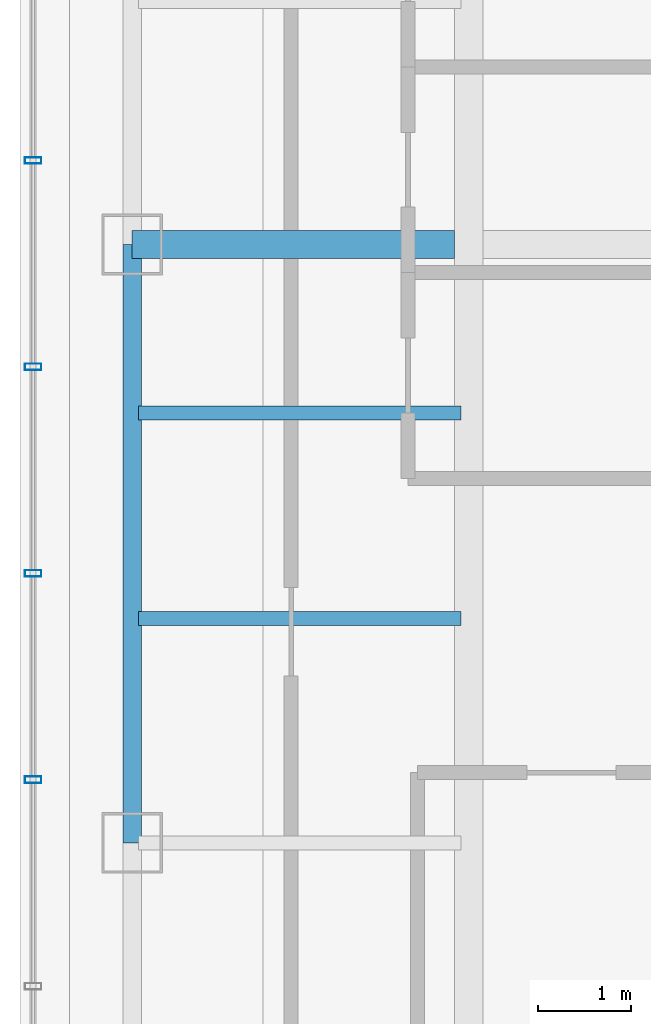
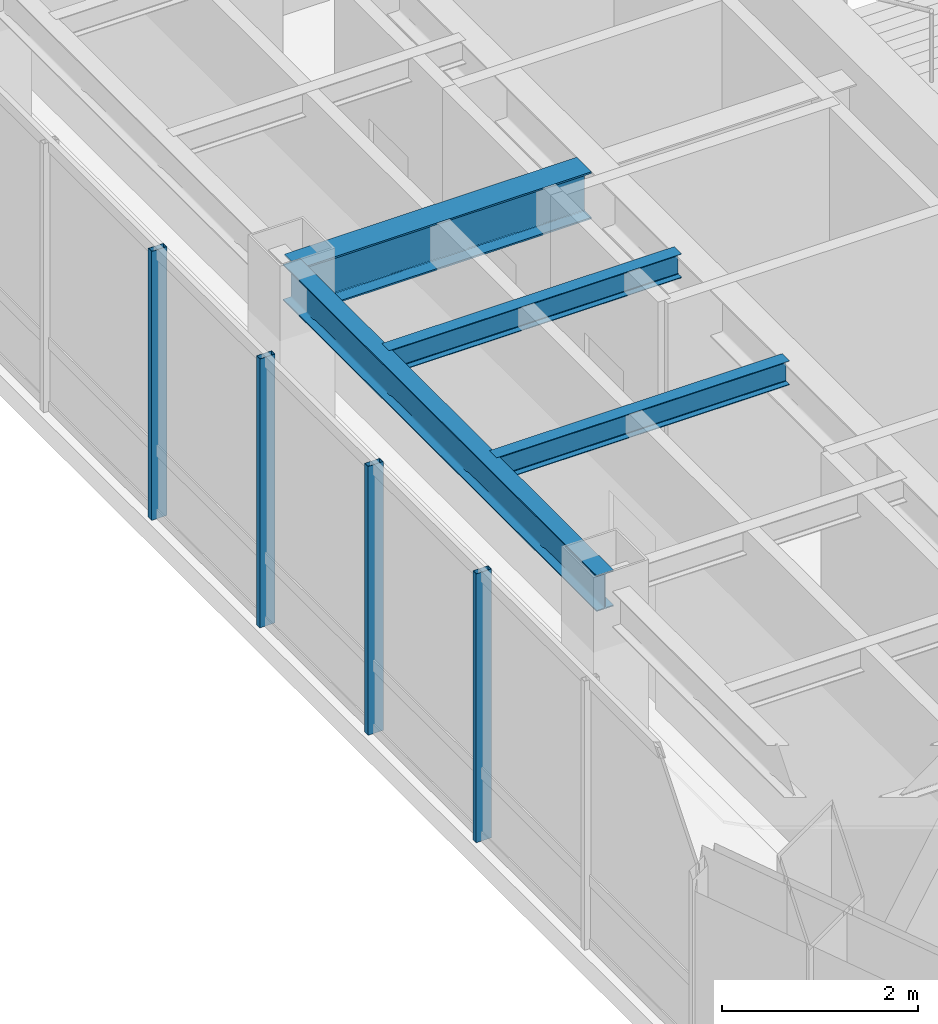
# One storey, part 8 of 22: 4 beams, 4 members, 1 element without a shape of its own.
"""IFC4 building model written with IfcOpenShell, lengths in metres."""

from ifc_helpers import new_model, si_unit, direction, frame, origin, origin_2d, place, context, subcontext, project, spatial, hollow_rectangle, i_section, extrude, material, layer, layer_set, material_profile, profile_set, type_object, element, aggregate, save


model = new_model("IFC4")

# Units and contexts
model_context = context("Model", 3, precision=1e-05, world=origin(), true_north=direction((0.0, 1.0)))
body_context = subcontext(model_context, "Body", "Model", "MODEL_VIEW")
ifc_project = project(units=[si_unit("LENGTHUNIT", "METRE"), si_unit("AREAUNIT", "SQUARE_METRE"), si_unit("VOLUMEUNIT", "CUBIC_METRE"), si_unit("PLANEANGLEUNIT", "RADIAN"), si_unit("MASSUNIT", "GRAM", prefix="KILO")], contexts=[model_context])

# Site, building, storey
site_placement = place(None, origin())
site = spatial("IfcSite", under=ifc_project, at=site_placement, CompositionType="ELEMENT")
building_placement = place(site_placement, origin())
building = spatial("IfcBuilding", under=site, at=building_placement, Name="Hatsunagi Terrace Concourse", CompositionType="ELEMENT")
storey_placement = place(building_placement, frame((0.0, 0.0, 239.550048828125)))
storey = spatial("IfcBuildingStorey", under=building, at=storey_placement, Name="L63", CompositionType="ELEMENT", Elevation=239.550048828125)

# Curtain wall, members
ifc_material_1 = material(Name="Anodised Aluminium Alloy 6063-T5", Category="aluminium")
ifc_layer = layer(ifc_material_1, 0.199951171875)
ifc_layer_set = layer_set([ifc_layer], Name="OfficeZone2_CW04")
curtain_wall_type = type_object("IfcCurtainWallType", Name="OfficeZone2_CW04", PredefinedType="NOTDEFINED", material=ifc_layer_set)
curtain_wall_placement = place(storey_placement, origin())
curtain_wall = element("IfcCurtainWall", 1, at=curtain_wall_placement, inside=storey, type_object=curtain_wall_type, Name="Unitised Curtain Wall CW-04 CW-L63-08", PredefinedType="NOTDEFINED")
ifc_material_2 = material(Name="Anodised Aluminium Alloy 6063-T5", Category="aluminium")
ifc_material_profile_1 = material_profile(ifc_material_2, hollow_rectangle(XDim=0.070068359375, YDim=0.179931640625, WallThickness=0.00390625, at=origin_2d()), Name="ALU-MUL-180x70x4")
ifc_profile_set_1 = profile_set([ifc_material_profile_1], Name="Anodised Aluminium Alloy 6063-T5")
member_type = type_object("IfcMemberType", Name="CurtainWallMullion_180x70", PredefinedType="MULLION", material=ifc_profile_set_1)
member_1_placement = place(storey_placement, frame((18.139892578125, 30.27490234375, 0.0), z_axis=(0.0, 0.0, 1.0), x_axis=(0.0, 1.0, 0.0)))
member_1 = element("IfcMember", 2, at=member_1_placement, type_object=member_type, Name="Curtain Wall Mullion MUL-02", PredefinedType="MULLION", context=body_context, shape_type="SweptSolid", body=[
    extrude(hollow_rectangle(XDim=0.070068359375, YDim=0.179931640625, WallThickness=0.00390625, at=origin_2d()), origin(), (0.0, 0.0, 1.0), 3.349853515625),
])
member_2_placement = place(storey_placement, frame((18.139892578125, 32.48291015625, 0.0), z_axis=(0.0, 0.0, 1.0), x_axis=(0.0, 1.0, 0.0)))
member_2 = element("IfcMember", 3, at=member_2_placement, type_object=member_type, Name="Curtain Wall Mullion MUL-02", PredefinedType="MULLION", context=body_context, shape_type="SweptSolid", body=[
    extrude(hollow_rectangle(XDim=0.070068359375, YDim=0.179931640625, WallThickness=0.00390625, at=origin_2d()), origin(), (0.0, 0.0, 1.0), 3.349853515625),
])
member_3_placement = place(storey_placement, frame((18.139892578125, 34.69189453125, 0.0), z_axis=(0.0, 0.0, 1.0), x_axis=(0.0, 1.0, 0.0)))
member_3 = element("IfcMember", 4, at=member_3_placement, type_object=member_type, Name="Curtain Wall Mullion MUL-02", PredefinedType="MULLION", context=body_context, shape_type="SweptSolid", body=[
    extrude(hollow_rectangle(XDim=0.070068359375, YDim=0.179931640625, WallThickness=0.00390625, at=origin_2d()), origin(), (0.0, 0.0, 1.0), 3.349853515625),
])
member_4_placement = place(storey_placement, frame((18.139892578125, 36.89990234375, 0.0), z_axis=(0.0, 0.0, 1.0), x_axis=(0.0, 1.0, 0.0)))
member_4 = element("IfcMember", 5, at=member_4_placement, type_object=member_type, Name="Curtain Wall Mullion MUL-02", PredefinedType="MULLION", context=body_context, shape_type="SweptSolid", body=[
    extrude(hollow_rectangle(XDim=0.070068359375, YDim=0.179931640625, WallThickness=0.00390625, at=origin_2d()), origin(), (0.0, 0.0, 1.0), 3.349853515625),
])
aggregate(curtain_wall, [member_1, member_2, member_3, member_4])

# Beams
ifc_material_3 = material(Name="Steel SN490B", Category="steel")
ifc_material_profile_2 = material_profile(ifc_material_3, i_section(OverallWidth=0.300048828125, OverallDepth=0.587890625, WebThickness=0.011962890625, FlangeThickness=0.02001953125, FilletRadius=0.01806640625, at=origin_2d()), Name="H-588x300x12x20")
ifc_profile_set_2 = profile_set([ifc_material_profile_2], Name="Steel SN490B")
beam_type_1 = type_object("IfcBeamType", Name="OfficeHighGirder_H_588x300", PredefinedType="BEAM", material=ifc_profile_set_2)
beam_1_placement = place(storey_placement, frame((19.199951171875, 36.0, 3.055908203125), z_axis=(1.0, 0.0, 0.0), x_axis=(0.0, 1.0, 0.0)))
element("IfcBeam", 6, at=beam_1_placement, inside=storey, type_object=beam_type_1, Name="Beam G-06 BM-L63-EW-3", PredefinedType="BEAM", context=body_context, shape_type="SweptSolid", body=[
    extrude(i_section(OverallWidth=0.300048828125, OverallDepth=0.587890625, WebThickness=0.011962890625, FlangeThickness=0.02001953125, FilletRadius=0.01806640625, at=origin_2d()), origin(), (0.0, 0.0, 1.0), 3.449951171875),
])
ifc_material_4 = material(Name="Steel SN490B", Category="steel")
ifc_material_profile_3 = material_profile(ifc_material_4, i_section(OverallWidth=0.14990234375, OverallDepth=0.300048828125, WebThickness=0.006591796875, FlangeThickness=0.009033203125, FilletRadius=0.010986328125, at=origin_2d()), Name="H-300x150x6.5x9")
ifc_profile_set_3 = profile_set([ifc_material_profile_3], Name="Steel SN490B")
beam_type_2 = type_object("IfcBeamType", Name="OfficeJoist_H_300x150", PredefinedType="JOIST", material=ifc_profile_set_3)
for number, where, z_axis, x_axis, name in (
    (7, (19.264892578125, 32.0, 3.199951171875), (1.0, 0.0, 0.0), (0.0, 1.0, 0.0), "Beam J-03 J-L63-W-19-320"),
    (8, (19.264892578125, 34.199951171875, 3.199951171875), (1.0, 0.0, 0.0), (0.0, 1.0, 0.0), "Beam J-03 J-L63-W-19-342"),
):
    element("IfcBeam", number, at=place(storey_placement, frame(where, z_axis=z_axis, x_axis=x_axis)), inside=storey, type_object=beam_type_2, Name=name, PredefinedType="JOIST", context=body_context, shape_type="SweptSolid", body=[
        extrude(i_section(OverallWidth=0.14990234375, OverallDepth=0.300048828125, WebThickness=0.006591796875, FlangeThickness=0.009033203125, FilletRadius=0.010986328125, at=origin_2d()), origin(), (0.0, 0.0, 1.0), 3.4501953125),
    ])
ifc_material_5 = material(Name="Steel SN490B", Category="steel")
ifc_material_profile_4 = material_profile(ifc_material_5, i_section(OverallWidth=0.199951171875, OverallDepth=0.449951171875, WebThickness=0.009033203125, FlangeThickness=0.013916015625, FilletRadius=0.01611328125, at=origin_2d()), Name="H-450x200x9x14")
ifc_profile_set_4 = profile_set([ifc_material_profile_4], Name="Steel SN490B")
beam_type_3 = type_object("IfcBeamType", Name="PerimeterSpandrel_H_450x200", PredefinedType="SPANDREL", material=ifc_profile_set_4)
beam_2_placement = place(storey_placement, frame((19.199951171875, 29.60009765625, 3.125), z_axis=(0.0, 1.0, 0.0), x_axis=(-1.0, 0.0, 0.0)))
element("IfcBeam", 9, at=beam_2_placement, inside=storey, type_object=beam_type_3, Name="Beam SP-02 BM-L63-NS-19-29", PredefinedType="SPANDREL", context=body_context, shape_type="SweptSolid", body=[
    extrude(i_section(OverallWidth=0.199951171875, OverallDepth=0.449951171875, WebThickness=0.009033203125, FlangeThickness=0.013916015625, FilletRadius=0.01611328125, at=origin_2d()), origin(), (0.0, 0.0, 1.0), 6.39990234375),
])

save(model, "model.ifc")
